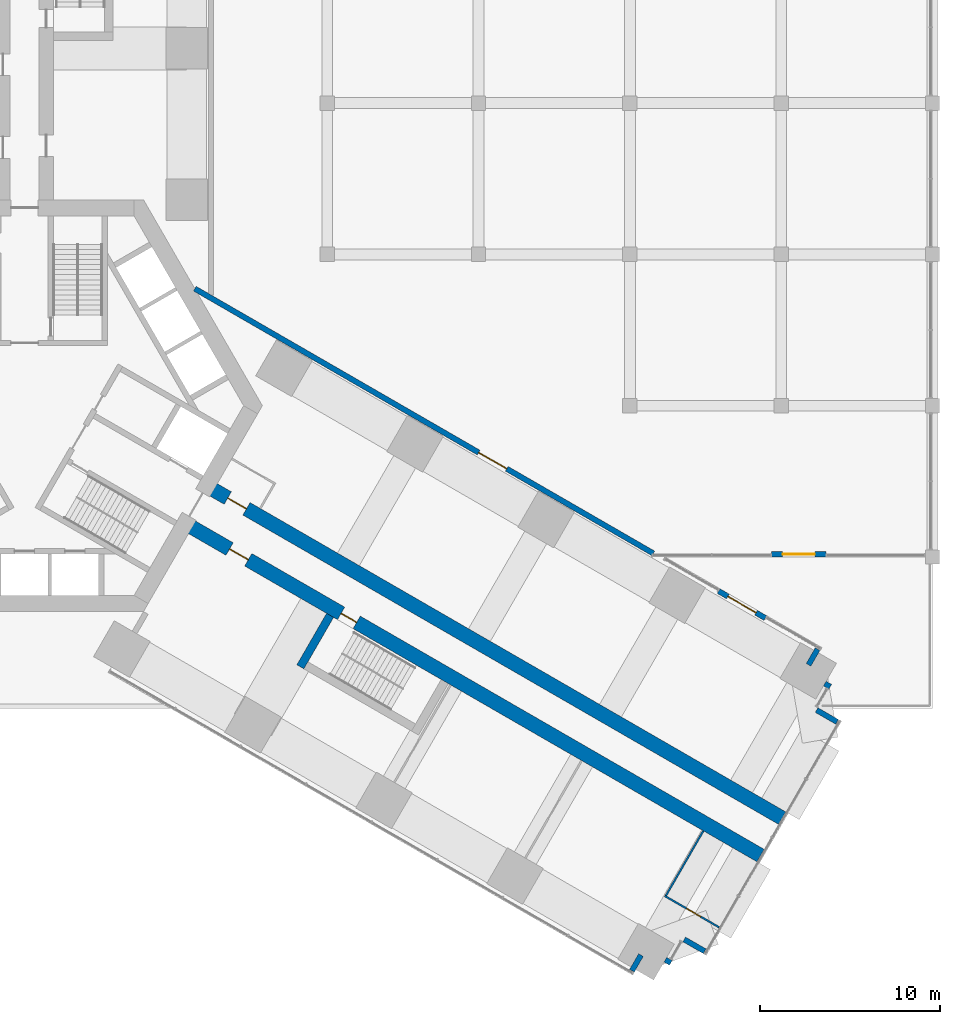
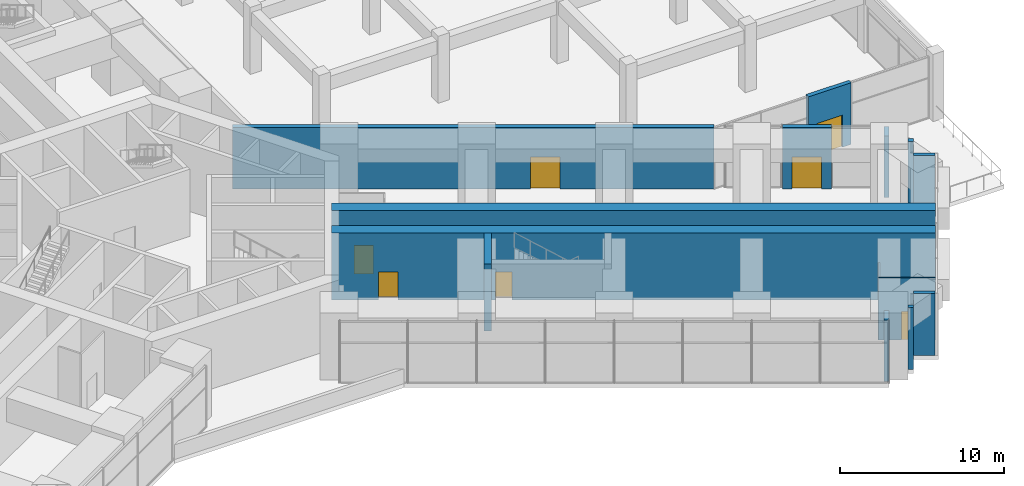
# One storey, part 30 of 33: 14 walls, 7 doors, 7 openings.
"""IFC4 building model written with IfcOpenShell, lengths in metres."""

import ifcopenshell
import ifcopenshell.guid

model = None  # the IFC model being written
_history = None  # IfcOwnerHistory: only IFC2X3 demands one
_inside = {}  # id of a spatial element -> (the spatial element, [elements in it])
_under = {}  # id of a project, library or spatial element -> (it, [spatial elements below it])
_declared = {}  # id of a project -> (the project, [libraries it declares])
_typed = {}  # id of a type object -> (the type object, [elements of that type])
_made_of = {}  # id of a material, layer set ... -> (it, [elements and type objects made of it])


def new_model(schema):
    """Start an empty IFC model of exactly this schema.

    Asked for "IFC4X3", IfcOpenShell would pick the latest addendum, in which some entities
    have other attributes; the version numbers below select the first issue.
    IFC2X3 requires an IfcOwnerHistory on every rooted entity: one is made here for all.
    """
    global model, _history
    if schema == "IFC4X3":
        model = ifcopenshell.file(schema_version=(4, 3, 0, 0))
    else:
        model = ifcopenshell.file(schema=schema)
    _inside.clear()
    _under.clear()
    _declared.clear()
    _typed.clear()
    _made_of.clear()
    _history = None
    if model.schema == "IFC2X3":
        org = make("IfcOrganization", Name="unknown")
        user = make(
            "IfcPersonAndOrganization",
            ThePerson=make("IfcPerson", FamilyName="unknown"),
            TheOrganization=org,
        )
        app = make(
            "IfcApplication",
            ApplicationDeveloper=org,
            Version="unknown",
            ApplicationFullName="unknown",
            ApplicationIdentifier="unknown",
        )
        _history = make(
            "IfcOwnerHistory",
            OwningUser=user,
            OwningApplication=app,
            ChangeAction="ADDED",
            CreationDate=0,
        )
    return model


def make(cls, **values):
    """One entity of the class cls with the attributes given. An attribute that is None is left unset."""
    return model.create_entity(
        cls, **{name: value for name, value in values.items() if value is not None}
    )


def rooted(cls, **values):
    """An entity with a GlobalId (a new one), such as an element, a storey or a relation."""
    return make(cls, GlobalId=ifcopenshell.guid.new(), OwnerHistory=_history, **values)


def si_unit(unit_type, name, prefix=None):
    """IfcSIUnit, for example si_unit("LENGTHUNIT", "METRE", prefix="MILLI")."""
    return make("IfcSIUnit", UnitType=unit_type, Prefix=prefix, Name=name)


def assignment(units):
    """IfcUnitAssignment: the units of a project."""
    return None if units is None else make("IfcUnitAssignment", Units=units)


def point(xyz):
    """IfcCartesianPoint."""
    return None if xyz is None else make("IfcCartesianPoint", Coordinates=xyz)


def direction(xyz):
    """IfcDirection."""
    return None if xyz is None else make("IfcDirection", DirectionRatios=xyz)


def frame(location, z_axis=None, x_axis=None):
    """IfcAxis2Placement3D, a coordinate frame: its origin and axes. An axis left out is left unset."""
    return make(
        "IfcAxis2Placement3D",
        Location=point(location),
        Axis=direction(z_axis),
        RefDirection=direction(x_axis),
    )


def frame_2d(location, x_axis=None):
    """IfcAxis2Placement2D, a coordinate frame in the plane: its origin and x axis."""
    return make(
        "IfcAxis2Placement2D", Location=point(location), RefDirection=direction(x_axis)
    )


def origin():
    """The frame at (0, 0, 0) with its axes left unset."""
    return frame((0.0, 0.0, 0.0))


def place(relative_to, where):
    """IfcLocalPlacement: puts the frame where relative to a parent placement (None: the world)."""
    return make(
        "IfcLocalPlacement", PlacementRelTo=relative_to, RelativePlacement=where
    )


def context(
    kind, dimensions, precision=None, world=None, true_north=None, identifier=None
):
    """IfcGeometricRepresentationContext, for example the 3D "Model" context."""
    return make(
        "IfcGeometricRepresentationContext",
        ContextIdentifier=identifier,
        ContextType=kind,
        CoordinateSpaceDimension=dimensions,
        Precision=precision,
        WorldCoordinateSystem=world,
        TrueNorth=true_north,
    )


def subcontext(parent, identifier, kind, view, scale=None):
    """IfcGeometricRepresentationSubContext, for example "Body" below "Model"."""
    return make(
        "IfcGeometricRepresentationSubContext",
        ContextIdentifier=identifier,
        ContextType=kind,
        ParentContext=parent,
        TargetScale=scale,
        TargetView=view,
    )


def project(units=None, contexts=None):
    """IfcProject with its units and contexts."""
    return rooted(
        "IfcProject",
        Name="project",
        RepresentationContexts=contexts,
        UnitsInContext=assignment(units),
    )


def spatial(cls, under=None, at=None, **own):
    """A site, building, storey or space (cls), placed at a placement, below another one or the project."""
    s = rooted(cls, ObjectPlacement=at, **own)
    if under is not None:
        _under.setdefault(under.id(), (under, []))[1].append(s)
    return s


def profile(cls, at=None, kind="AREA", **sizes):
    """A parametric profile (cls). Its sizes go by their IFC names, for example OverallWidth=200.0."""
    return make(cls, ProfileType=kind, Position=at, **sizes)


def rectangle(**sizes):
    """IfcRectangleProfileDef."""
    return profile("IfcRectangleProfileDef", **sizes)


def extrude(swept, where, along, depth):
    """IfcExtrudedAreaSolid: the profile swept, set in the frame where, extruded along a direction by depth."""
    return make(
        "IfcExtrudedAreaSolid",
        SweptArea=swept,
        Position=where,
        ExtrudedDirection=direction(along),
        Depth=depth,
    )


def shape(context_of_items, identifier, shape_type, items):
    """IfcShapeRepresentation: the items that make up one representation, for example the "Body"."""
    return make(
        "IfcShapeRepresentation",
        ContextOfItems=context_of_items,
        RepresentationIdentifier=identifier,
        RepresentationType=shape_type,
        Items=items,
    )


def material(Name=None, Category=None):
    """IfcMaterial."""
    return make("IfcMaterial", Name=Name, Category=Category)


def layer(
    of_material, thickness, ventilated=None, Name=None, Category=None, Priority=None
):
    """IfcMaterialLayer: one layer of a wall or slab, of a material (None: an air gap)."""
    return make(
        "IfcMaterialLayer",
        Material=of_material,
        LayerThickness=thickness,
        IsVentilated=ventilated,
        Name=Name,
        Category=Category,
        Priority=Priority,
    )


def layer_set(layers, Name=None):
    """IfcMaterialLayerSet."""
    return make("IfcMaterialLayerSet", MaterialLayers=layers, LayerSetName=Name)


def made_of(thing, what):
    """Note that an element or type object is made of a material, layer set ...; save() writes the relation."""
    if what is not None:
        _made_of.setdefault(what.id(), (what, []))[1].append(thing)
    return thing


def type_object(cls, material=None, **own):
    """A type object (cls), such as IfcWallType, which elements share."""
    return made_of(rooted(cls, **own), material)


def element(
    cls,
    number,
    at=None,
    inside=None,
    cuts=None,
    type_object=None,
    material=None,
    context=None,
    identifier="Body",
    shape_type=None,
    held_by="IfcProductDefinitionShape",
    body=None,
    shapes=None,
    **own,
):
    """One element of the class cls, such as IfcWall. Its Tag is "e" and its number.

    at: its placement. inside: the storey or other place that contains it. cuts: it is an
    opening in that element (IfcRelVoidsElement). A single representation is given by context,
    identifier, shape_type and body (its items); several are given by shapes. held_by: the class
    of the entity that holds the representations. save() writes the other relations.
    """
    e = rooted(cls, Tag="e%d" % number, ObjectPlacement=at, **own)
    if body is not None:
        shapes = [shape(context, identifier, shape_type, body)]
    if shapes is not None:
        e.Representation = make(held_by, Representations=shapes)
    if inside is not None:
        _inside.setdefault(inside.id(), (inside, []))[1].append(e)
    if cuts is not None:
        rooted(
            "IfcRelVoidsElement", RelatingBuildingElement=cuts, RelatedOpeningElement=e
        )
    if type_object is not None:
        _typed.setdefault(type_object.id(), (type_object, []))[1].append(e)
    return made_of(e, material)


def fill(opening, filler):
    """IfcRelFillsElement: the door or window that sits in an opening."""
    return rooted(
        "IfcRelFillsElement",
        RelatingOpeningElement=opening,
        RelatedBuildingElement=filler,
    )


def aggregate(whole, parts):
    """IfcRelAggregates: a whole, such as a stair, and the parts it consists of."""
    return rooted("IfcRelAggregates", RelatingObject=whole, RelatedObjects=parts)


def save(model, path):
    """Write the relations noted so far, then the file.

    IfcRelAggregates (storeys below a building ...), IfcRelContainedInSpatialStructure (elements
    in a storey), IfcRelDefinesByType, IfcRelAssociatesMaterial and IfcRelDeclares: one each for
    every whole, place, type object, material and project.
    """
    for whole, parts in _under.values():
        aggregate(whole, parts)
    for where, things in _inside.values():
        rooted(
            "IfcRelContainedInSpatialStructure",
            RelatedElements=things,
            RelatingStructure=where,
        )
    for kind, things in _typed.values():
        rooted("IfcRelDefinesByType", RelatedObjects=things, RelatingType=kind)
    for what, things in _made_of.values():
        rooted("IfcRelAssociatesMaterial", RelatedObjects=things, RelatingMaterial=what)
    for by, libraries in _declared.values():
        rooted("IfcRelDeclares", RelatingContext=by, RelatedDefinitions=libraries)
    model.write(path)


model = new_model("IFC4")

# Units and contexts
model_context = context("Model", 3, precision=1e-05, world=origin(), true_north=direction((0.0, 1.0)))
body_context = subcontext(model_context, "Body", "Model", "MODEL_VIEW")
ifc_project = project(units=[si_unit("LENGTHUNIT", "METRE"), si_unit("AREAUNIT", "SQUARE_METRE"), si_unit("VOLUMEUNIT", "CUBIC_METRE"), si_unit("PLANEANGLEUNIT", "RADIAN"), si_unit("MASSUNIT", "GRAM", prefix="KILO")], contexts=[model_context])

# Site, building, storey
site_placement = place(None, origin())
site = spatial("IfcSite", under=ifc_project, at=site_placement, CompositionType="ELEMENT")
building_placement = place(site_placement, origin())
building = spatial("IfcBuilding", under=site, at=building_placement, Name="Impinga Residences", CompositionType="ELEMENT")
storey_placement = place(building_placement, frame((0.0, 0.0, 21.0)))
storey = spatial("IfcBuildingStorey", under=building, at=storey_placement, Name="L04", CompositionType="ELEMENT", Elevation=21.0)

# Wall, opening, door
ifc_material_1 = material(Name="Concrete C70/85", Category="concrete")
ifc_layer_1 = layer(ifc_material_1, 0.800048828125)
ifc_layer_set_1 = layer_set([ifc_layer_1], Name="Concrete C70/85")
wall_type_1 = type_object("IfcWallType", Name="BW0 corridor buttress wall, B3 to L04 800", PredefinedType="SHEAR", material=ifc_layer_set_1)
wall_1_placement = place(storey_placement, frame((10.1103515625, -4.451416015625, 0.0), z_axis=(0.0, 0.0, 1.0), x_axis=(0.866023348156, -0.500003560437, 0.0)))
wall_1 = element("IfcWall", 1, at=wall_1_placement, inside=storey, type_object=wall_type_1, Name="Corridor wall BW0 EC L04", PredefinedType="SHEAR", context=body_context, shape_type="SweptSolid", body=[
    extrude(rectangle(XDim=36.887939453125, YDim=0.800048828125, at=frame_2d((18.44384765625, 0.0))), origin(), (0.0, 0.0, 1.0), 5.0),
])
opening_1_placement = place(wall_1_placement, frame((1.35009765625, 0.0, 0.0)))
opening_1 = element("IfcOpeningElement", 2, at=opening_1_placement, cuts=wall_1, Name="Opening D3", PredefinedType="OPENING", context=body_context, shape_type="SweptSolid", body=[
    extrude(rectangle(XDim=1.199951171875, YDim=2.10009765625, at=frame_2d((0.60009765625, 1.050048828125))), frame((0.0, 0.409912109375, 0.0), z_axis=(0.0, -1.0, 0.0), x_axis=(1.0, 0.0, 0.0)), (0.0, 0.0, 1.0), 0.820068359375),
])
ifc_material_2 = material(Name="Timber door set", Category="wood")
door_type_1 = type_object("IfcDoorType", Name="D3 room door, leaf and a half 1200x2100", OperationType="DOUBLE_SWING_LEFT", PredefinedType="DOOR", material=ifc_material_2)
door_1_placement = place(opening_1_placement, origin())
door_1 = element("IfcDoor", 3, at=door_1_placement, inside=storey, type_object=door_type_1, Name="Store lobby door L04-EA1", OperationType="DOUBLE_SWING_LEFT", OverallHeight=2.10009765625, OverallWidth=1.199951171875, PredefinedType="DOOR", context=body_context, shape_type="SweptSolid", body=[
    extrude(rectangle(XDim=1.199951171875, YDim=2.10009765625, at=frame_2d((0.60009765625, 1.050048828125))), frame((0.0, 0.02490234375, 0.0), z_axis=(0.0, -1.0, 0.0), x_axis=(1.0, 0.0, 0.0)), (0.0, 0.0, 1.0), 0.050048828125),
])
fill(opening_1, door_1)

# Wall, openings, doors
wall_2_placement = place(storey_placement, frame((8.910400390625, -6.530029296875, 0.0), z_axis=(0.0, 0.0, 1.0), x_axis=(0.866026214035, -0.499998596603, 0.0)))
wall_2 = element("IfcWall", 4, at=wall_2_placement, inside=storey, type_object=wall_type_1, Name="Corridor wall BW0 ED L04", PredefinedType="SHEAR", context=body_context, shape_type="SweptSolid", body=[
    extrude(rectangle(XDim=36.8876953125, YDim=0.800048828125, at=frame_2d((18.44384765625, 0.0))), origin(), (0.0, 0.0, 1.0), 5.0),
])
opening_2_placement = place(wall_2_placement, frame((10.0, 0.0, 0.0)))
opening_2 = element("IfcOpeningElement", 5, at=opening_2_placement, cuts=wall_2, Name="Opening D5", PredefinedType="OPENING", context=body_context, shape_type="SweptSolid", body=[
    extrude(rectangle(XDim=1.0, YDim=2.10009765625, at=frame_2d((0.5, 1.050048828125))), frame((0.0, 0.409912109375, 0.0), z_axis=(0.0, -1.0, 0.0), x_axis=(1.0, 0.0, 0.0)), (0.0, 0.0, 1.0), 0.820068359375),
])
opening_3_placement = place(wall_2_placement, frame((2.85009765625, 0.0, 0.0)))
opening_3 = element("IfcOpeningElement", 6, at=opening_3_placement, cuts=wall_2, Name="Opening D3", PredefinedType="OPENING", context=body_context, shape_type="SweptSolid", body=[
    extrude(rectangle(XDim=1.199951171875, YDim=2.10009765625, at=frame_2d((0.60009765625, 1.050048828125))), frame((0.0, 0.409912109375, 0.0), z_axis=(0.0, -1.0, 0.0), x_axis=(1.0, 0.0, 0.0)), (0.0, 0.0, 1.0), 0.820068359375),
])
door_2_placement = place(opening_3_placement, origin())
door_2 = element("IfcDoor", 7, at=door_2_placement, inside=storey, type_object=door_type_1, Name="Staff room door L04-EF1", OperationType="DOUBLE_SWING_LEFT", OverallHeight=2.10009765625, OverallWidth=1.199951171875, PredefinedType="DOOR", context=body_context, shape_type="SweptSolid", body=[
    extrude(rectangle(XDim=1.199951171875, YDim=2.10009765625, at=frame_2d((0.60009765625, 1.050048828125))), frame((0.0, 0.02490234375, 0.0), z_axis=(0.0, -1.0, 0.0), x_axis=(1.0, 0.0, 0.0)), (0.0, 0.0, 1.0), 0.050048828125),
])
fill(opening_3, door_2)
door_type_2 = type_object("IfcDoorType", Name="D5 stair door 1000x2100", OperationType="SINGLE_SWING_LEFT", PredefinedType="DOOR", material=ifc_material_2)
door_3_placement = place(opening_2_placement, origin())
door_3 = element("IfcDoor", 8, at=door_3_placement, inside=storey, type_object=door_type_2, Name="Wing stair door E", OperationType="SINGLE_SWING_LEFT", OverallHeight=2.10009765625, OverallWidth=1.0, PredefinedType="DOOR", context=body_context, shape_type="SweptSolid", body=[
    extrude(rectangle(XDim=1.0, YDim=2.10009765625, at=frame_2d((0.5, 1.050048828125))), frame((0.0, 0.02490234375, 0.0), z_axis=(0.0, -1.0, 0.0), x_axis=(1.0, 0.0, 0.0)), (0.0, 0.0, 1.0), 0.050048828125),
])
fill(opening_2, door_3)

# Wall, opening, door
ifc_material_3 = material(Name="Stone facing on blockwork", Category="masonry")
ifc_layer_2 = layer(ifc_material_3, 0.300048828125)
ifc_layer_set_2 = layer_set([ifc_layer_2], Name="EW2 external wall, stone facing on blockwork 300")
wall_type_2 = type_object("IfcWallType", Name="EW2 external wall, stone facing on blockwork 300", PredefinedType="SOLIDWALL", material=ifc_layer_set_2)
wall_3_placement = place(storey_placement, frame((44.474609375, -8.25, 0.0), z_axis=(0.0, 0.0, 1.0), x_axis=(-1.0, 0.0, 0.0)))
wall_3 = element("IfcWall", 9, at=wall_3_placement, inside=storey, type_object=wall_type_2, Name="External wall EW2 L04", PredefinedType="SOLIDWALL", context=body_context, shape_type="SweptSolid", body=[
    extrude(rectangle(XDim=3.0, YDim=0.300048828125, at=frame_2d((1.5, 0.0))), origin(), (0.0, 0.0, 1.0), 4.60009765625),
])
opening_4_placement = place(wall_3_placement, frame((0.60009765625, 0.0, 0.0)))
opening_4 = element("IfcOpeningElement", 10, at=opening_4_placement, cuts=wall_3, Name="Opening TD2", PredefinedType="OPENING", context=body_context, shape_type="SweptSolid", body=[
    extrude(rectangle(XDim=1.800048828125, YDim=2.39990234375, at=frame_2d((0.89990234375, 1.199951171875))), frame((0.0, 0.159912109375, 0.0), z_axis=(0.0, -1.0, 0.0), x_axis=(1.0, 0.0, 0.0)), (0.0, 0.0, 1.0), 0.320068359375),
])
ifc_material_4 = material(Name="Glazed aluminium door", Category="aluminium")
door_type_3 = type_object("IfcDoorType", Name="TD2 terrace door pair 1800x2400", OperationType="DOUBLE_DOOR_SINGLE_SWING", PredefinedType="DOOR", material=ifc_material_4)
door_4_placement = place(opening_4_placement, origin())
door_4 = element("IfcDoor", 11, at=door_4_placement, inside=storey, type_object=door_type_3, Name="Terrace doors L04", OperationType="DOUBLE_DOOR_SINGLE_SWING", OverallHeight=2.39990234375, OverallWidth=1.800048828125, PredefinedType="DOOR", context=body_context, shape_type="SweptSolid", body=[
    extrude(rectangle(XDim=1.800048828125, YDim=2.39990234375, at=frame_2d((0.89990234375, 1.199951171875))), frame((0.0, 0.02490234375, 0.0), z_axis=(0.0, -1.0, 0.0), x_axis=(1.0, 0.0, 0.0)), (0.0, 0.0, 1.0), 0.050048828125),
])
fill(opening_4, door_4)

wall_4_placement = place(storey_placement, frame((38.52490234375, -10.291259765625, 0.0), z_axis=(0.0, 0.0, 1.0), x_axis=(0.866010750942, -0.50002537861, 0.0)))
wall_4 = element("IfcWall", 12, at=wall_4_placement, inside=storey, type_object=wall_type_2, Name="External wall EW2 L04", PredefinedType="SOLIDWALL", context=body_context, shape_type="SweptSolid", body=[
    extrude(rectangle(XDim=2.999755859375, YDim=0.300048828125, at=frame_2d((1.5, 0.0))), origin(), (0.0, 0.0, 1.0), 4.60009765625),
])
opening_5_placement = place(wall_4_placement, frame((0.60009765625, 0.0, 0.0)))
opening_5 = element("IfcOpeningElement", 13, at=opening_5_placement, cuts=wall_4, Name="Opening TD2", PredefinedType="OPENING", context=body_context, shape_type="SweptSolid", body=[
    extrude(rectangle(XDim=1.800048828125, YDim=2.39990234375, at=frame_2d((0.89990234375, 1.199951171875))), frame((0.0, 0.159912109375, 0.0), z_axis=(0.0, -1.0, 0.0), x_axis=(1.0, 0.0, 0.0)), (0.0, 0.0, 1.0), 0.320068359375),
])
door_5_placement = place(opening_5_placement, origin())
door_5 = element("IfcDoor", 14, at=door_5_placement, inside=storey, type_object=door_type_3, Name="Terrace doors L04", OperationType="DOUBLE_DOOR_SINGLE_SWING", OverallHeight=2.39990234375, OverallWidth=1.800048828125, PredefinedType="DOOR", context=body_context, shape_type="SweptSolid", body=[
    extrude(rectangle(XDim=1.800048828125, YDim=2.39990234375, at=frame_2d((0.89990234375, 1.199951171875))), frame((0.0, 0.02490234375, 0.0), z_axis=(0.0, -1.0, 0.0), x_axis=(1.0, 0.0, 0.0)), (0.0, 0.0, 1.0), 0.050048828125),
])
fill(opening_5, door_5)

# Walls
wall_5_placement = place(storey_placement, frame((44.02099609375, -13.516357421875, 0.0), z_axis=(0.0, 0.0, 1.0), x_axis=(-0.499953773667, -0.866052090925, 0.0)))
element("IfcWall", 15, at=wall_5_placement, inside=storey, type_object=wall_type_2, Name="External wall EW2 L04", PredefinedType="SOLIDWALL", context=body_context, shape_type="SweptSolid", body=[
    extrude(rectangle(XDim=1.0048828125, YDim=0.300048828125, at=frame_2d((0.50244140625, 0.0))), origin(), (0.0, 0.0, 1.0), 4.60009765625),
])
wall_6_placement = place(storey_placement, frame((44.421875, -15.427978515625, 0.0), z_axis=(0.0, 0.0, 1.0), x_axis=(0.865939549016, -0.500148675346, 0.0)))
element("IfcWall", 16, at=wall_6_placement, inside=storey, type_object=wall_type_2, Name="External wall EW2 L04", PredefinedType="SOLIDWALL", context=body_context, shape_type="SweptSolid", body=[
    extrude(rectangle(XDim=0.34716796875, YDim=0.300048828125, at=frame_2d((0.173583984375, 0.0))), origin(), (0.0, 0.0, 1.0), 4.60009765625),
])
for number, where, z_axis, x_axis, name in (
    (17, (43.96826171875, -16.89794921875, 0.0), (0.0, 0.0, 1.0), (0.865974499684, -0.500088158126, 0.0), "External wall EW2 L04"),
    (18, (37.752685546875, -30.283447265625, 0.0), (0.0, 0.0, 1.0), (-0.866101796549, 0.4998676605, 0.0), "External wall EW2 L04"),
):
    element("IfcWall", number, at=place(storey_placement, frame(where, z_axis=z_axis, x_axis=x_axis)), inside=storey, type_object=wall_type_2, Name=name, PredefinedType="SOLIDWALL", context=body_context, shape_type="SweptSolid", body=[
        extrude(rectangle(XDim=1.309814453125, YDim=0.300048828125, at=frame_2d((0.65478515625, 0.0))), origin(), (0.0, 0.0, 1.0), 4.60009765625),
    ])
wall_7_placement = place(storey_placement, frame((35.87255859375, -30.93017578125, 0.0), z_axis=(0.0, 0.0, 1.0), x_axis=(-0.865939549016, 0.500148675346, 0.0)))
element("IfcWall", 19, at=wall_7_placement, inside=storey, type_object=wall_type_2, Name="External wall EW2 L04", PredefinedType="SOLIDWALL", context=body_context, shape_type="SweptSolid", body=[
    extrude(rectangle(XDim=0.34716796875, YDim=0.300048828125, at=frame_2d((0.173583984375, 0.0))), origin(), (0.0, 0.0, 1.0), 4.60009765625),
])
wall_8_placement = place(storey_placement, frame((34.218505859375, -30.494873046875, 0.0), z_axis=(0.0, 0.0, 1.0), x_axis=(-0.499953773667, -0.866052090925, 0.0)))
element("IfcWall", 20, at=wall_8_placement, inside=storey, type_object=wall_type_2, Name="External wall EW2 L04", PredefinedType="SOLIDWALL", context=body_context, shape_type="SweptSolid", body=[
    extrude(rectangle(XDim=1.0048828125, YDim=0.300048828125, at=frame_2d((0.50244140625, 0.0))), origin(), (0.0, 0.0, 1.0), 4.60009765625),
])

# Wall, opening, door
ifc_material_5 = material(Name="Gypsum board on steel studs", Category="steel")
ifc_layer_3 = layer(ifc_material_5, 0.10009765625)
ifc_layer_set_3 = layer_set([ifc_layer_3], Name="Gypsum board on steel studs")
wall_type_3 = type_object("IfcWallType", Name="IP1 partition 100", PredefinedType="PARTITIONING", material=ifc_layer_set_3)
wall_9_placement = place(storey_placement, frame((35.53564453125, -27.213623046875, 0.0), z_axis=(0.0, 0.0, 1.0), x_axis=(0.866002528137, -0.500039619691, 0.0)))
wall_9 = element("IfcWall", 21, at=wall_9_placement, inside=storey, type_object=wall_type_3, Name="Partition L04-EF1:WC3A", PredefinedType="PARTITIONING", context=body_context, shape_type="SweptSolid", body=[
    extrude(rectangle(XDim=3.487060546875, YDim=0.10009765625, at=frame_2d((1.74365234375, 0.0))), origin(), (0.0, 0.0, 1.0), 4.60009765625),
])
opening_6_placement = place(wall_9_placement, frame((1.39990234375, 0.0, 0.0)))
opening_6 = element("IfcOpeningElement", 22, at=opening_6_placement, cuts=wall_9, Name="Opening D2", PredefinedType="OPENING", context=body_context, shape_type="SweptSolid", body=[
    extrude(rectangle(XDim=0.89990234375, YDim=2.10009765625, at=frame_2d((0.449951171875, 1.050048828125))), frame((0.0, 0.06005859375, 0.0), z_axis=(0.0, -1.0, 0.0), x_axis=(1.0, 0.0, 0.0)), (0.0, 0.0, 1.0), 0.1201171875),
])
door_type_4 = type_object("IfcDoorType", Name="D2 internal door 900x2100", OperationType="SINGLE_SWING_LEFT", PredefinedType="DOOR", material=ifc_material_2)
door_6_placement = place(opening_6_placement, origin())
door_6 = element("IfcDoor", 23, at=door_6_placement, inside=storey, type_object=door_type_4, Name="Staff WC door L04-EF1", OperationType="SINGLE_SWING_RIGHT", OverallHeight=2.10009765625, OverallWidth=0.89990234375, PredefinedType="DOOR", context=body_context, shape_type="SweptSolid", body=[
    extrude(rectangle(XDim=0.89990234375, YDim=2.10009765625, at=frame_2d((0.449951171875, 1.050048828125))), frame((0.0, 0.02490234375, 0.0), z_axis=(0.0, -1.0, 0.0), x_axis=(1.0, 0.0, 0.0)), (0.0, 0.0, 1.0), 0.050048828125),
])
fill(opening_6, door_6)

# Wall
wall_10_placement = place(storey_placement, frame((37.678955078125, -23.601318359375, 0.0), z_axis=(0.0, 0.0, 1.0), x_axis=(-0.499994284652, -0.866028703517, 0.0)))
element("IfcWall", 24, at=wall_10_placement, inside=storey, type_object=wall_type_3, Name="Partition L04-EF1:WC3B", PredefinedType="PARTITIONING", context=body_context, shape_type="SweptSolid", body=[
    extrude(rectangle(XDim=4.25, YDim=0.10009765625, at=frame_2d((2.125, 0.0))), origin(), (0.0, 0.0, 1.0), 2.800048828125),
])

# Wall, opening, door
ifc_material_6 = material(Name="Concrete blockwork", Category="masonry")
ifc_layer_4 = layer(ifc_material_6, 0.300048828125)
ifc_layer_set_4 = layer_set([ifc_layer_4], Name="PW3 podium wall on the wing face 300")
wall_type_4 = type_object("IfcWallType", Name="PW3 podium wall on the wing face 300", PredefinedType="SOLIDWALL", material=ifc_layer_set_4)
wall_11_placement = place(storey_placement, frame((9.449951171875, 6.4951171875, 0.0), z_axis=(0.0, 0.0, 1.0), x_axis=(0.866027750123, -0.499995936, 0.0)))
wall_11 = element("IfcWall", 25, at=wall_11_placement, inside=storey, type_object=wall_type_4, Name="Podium wall on the wing face L04:SIDE:EA0", PredefinedType="SOLIDWALL", context=body_context, shape_type="SweptSolid", body=[
    extrude(rectangle(XDim=29.390380859375, YDim=0.300048828125, at=frame_2d((14.6953125, 0.0))), origin(), (0.0, 0.0, 1.0), 4.60009765625),
])
opening_7_placement = place(wall_11_placement, frame((18.1953125, 0.0, 0.0)))
opening_7 = element("IfcOpeningElement", 26, at=opening_7_placement, cuts=wall_11, Name="Opening D7", PredefinedType="OPENING", context=body_context, shape_type="SweptSolid", body=[
    extrude(rectangle(XDim=1.800048828125, YDim=2.39990234375, at=frame_2d((0.89990234375, 1.199951171875))), frame((0.0, 0.159912109375, 0.0), z_axis=(0.0, -1.0, 0.0), x_axis=(1.0, 0.0, 0.0)), (0.0, 0.0, 1.0), 0.320068359375),
])
door_type_5 = type_object("IfcDoorType", Name="D7 podium door pair 1800x2400", OperationType="DOUBLE_DOOR_DOUBLE_SWING", PredefinedType="DOOR", material=ifc_material_2)
door_7_placement = place(opening_7_placement, origin())
door_7 = element("IfcDoor", 27, at=door_7_placement, inside=storey, type_object=door_type_5, Name="Double door EA", OperationType="DOUBLE_DOOR_DOUBLE_SWING", OverallHeight=2.39990234375, OverallWidth=1.800048828125, PredefinedType="DOOR", context=body_context, shape_type="SweptSolid", body=[
    extrude(rectangle(XDim=1.800048828125, YDim=2.39990234375, at=frame_2d((0.89990234375, 1.199951171875))), frame((0.0, 0.02490234375, 0.0), z_axis=(0.0, -1.0, 0.0), x_axis=(1.0, 0.0, 0.0)), (0.0, 0.0, 1.0), 0.050048828125),
])
fill(opening_7, door_7)

# Wall
ifc_material_7 = material(Name="Concrete C60/75", Category="concrete")
ifc_layer_5 = layer(ifc_material_7, 0.449951171875)
ifc_layer_set_5 = layer_set([ifc_layer_5], Name="Concrete C60/75")
wall_type_5 = type_object("IfcWallType", Name="SE2 wing stair enclosure wall, ground and podium storeys 450", PredefinedType="SOLIDWALL", material=ifc_layer_set_5)
wall_12_placement = place(storey_placement, frame((16.959228515625, -11.638916015625, 0.0), z_axis=(0.0, 0.0, 1.0), x_axis=(-0.50002983664, -0.866008176907, 0.0)))
element("IfcWall", 28, at=wall_12_placement, inside=storey, type_object=wall_type_5, Name="Stair enclosure wall SE2 E END0 L04", PredefinedType="SOLIDWALL", context=body_context, shape_type="SweptSolid", body=[
    extrude(rectangle(XDim=3.300048828125, YDim=0.449951171875, at=frame_2d((1.64990234375, 0.0))), origin(), (0.0, 0.0, 1.0), 5.0),
])

save(model, "model.ifc")
